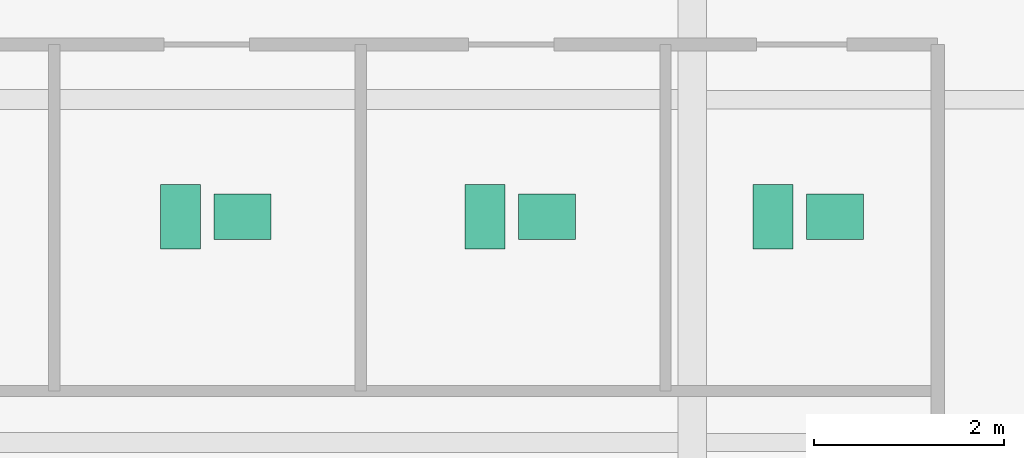
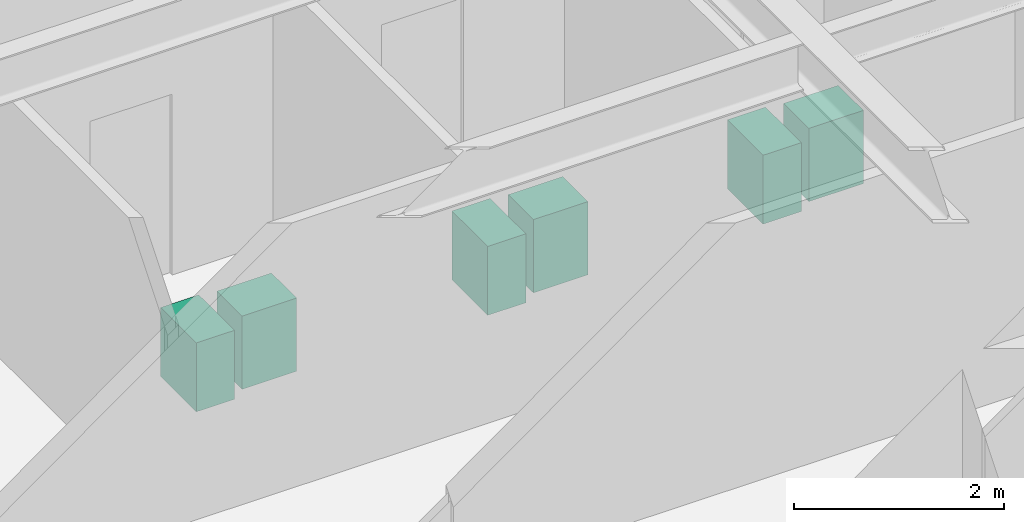
# One storey, part 30 of 30: 6 sanitary terminals.
"""IFC4 building model written with IfcOpenShell, lengths in metres."""

from ifc_helpers import new_model, si_unit, direction, frame, origin, origin_2d, place, context, subcontext, project, spatial, rectangle, extrude, source, transform, mapped, material, type_object, type_shapes, element, save


model = new_model("IFC4")

# Units and contexts
model_context = context("Model", 3, precision=1e-05, world=origin(), true_north=direction((0.0, 1.0)))
body_context = subcontext(model_context, "Body", "Model", "MODEL_VIEW")
ifc_project = project(units=[si_unit("LENGTHUNIT", "METRE"), si_unit("AREAUNIT", "SQUARE_METRE"), si_unit("VOLUMEUNIT", "CUBIC_METRE"), si_unit("PLANEANGLEUNIT", "RADIAN"), si_unit("MASSUNIT", "GRAM", prefix="KILO")], contexts=[model_context])

# Site, building, storey
site_placement = place(None, origin())
site = spatial("IfcSite", under=ifc_project, at=site_placement, CompositionType="ELEMENT")
building_placement = place(site_placement, origin())
building = spatial("IfcBuilding", under=site, at=building_placement, Name="Krantzveldt Concourse Tower", CompositionType="ELEMENT")
storey_placement = place(building_placement, frame((0.0, 0.0, 44.75)))
storey = spatial("IfcBuildingStorey", under=building, at=storey_placement, Name="L10", CompositionType="ELEMENT", Elevation=44.75)

# Sanitary terminals
ifc_material = material(Name="Vitreous china", Category="ceramic")
sanitary_terminal_type_1 = type_object("IfcSanitaryTerminalType", Name="SAN-WC-SUITE", PredefinedType="TOILETPAN", material=ifc_material)
shared_shape_1 = source(origin(), body_context, "Body", "SweptSolid", [
    extrude(rectangle(XDim=0.419921875, YDim=0.679931640625, at=origin_2d()), origin(), (0.0, 0.0, 1.0), 0.800048828125),
])
type_shapes(sanitary_terminal_type_1, [shared_shape_1])
for number, where, z_axis, x_axis, name in (
    (1, (36.02490234375, 32.570068359375, 0.0), (0.0, 0.0, 1.0), (1.0, 0.0, 0.0), "WC-SP-L10-WCM"),
    (2, (39.22509765625, 32.570068359375, 0.0), (0.0, 0.0, 1.0), (1.0, 0.0, 0.0), "WC-SP-L10-WCF"),
    (3, (42.25, 32.570068359375, 0.0), (0.0, 0.0, 1.0), (1.0, 0.0, 0.0), "WC-SP-L10-WCA"),
):
    element("IfcSanitaryTerminal", number, at=place(storey_placement, frame(where, z_axis=z_axis, x_axis=x_axis)), inside=storey, type_object=sanitary_terminal_type_1, Name=name, PredefinedType="TOILETPAN", context=body_context, shape_type="MappedRepresentation", body=[
        mapped(shared_shape_1, transform((0.0, 0.0, 0.0), x_axis=(1.0, 0.0, 0.0), y_axis=(0.0, 1.0, 0.0), z_axis=(0.0, 0.0, 1.0), scale=1.0)),
    ])
sanitary_terminal_type_2 = type_object("IfcSanitaryTerminalType", Name="SAN-BASIN-600", PredefinedType="WASHHANDBASIN", material=ifc_material)
shared_shape_2 = source(origin(), body_context, "Body", "SweptSolid", [
    extrude(rectangle(XDim=0.60009765625, YDim=0.47998046875, at=origin_2d()), origin(), (0.0, 0.0, 1.0), 0.85009765625),
])
type_shapes(sanitary_terminal_type_2, [shared_shape_2])
for number, where, z_axis, x_axis, name in (
    (4, (36.675048828125, 32.570068359375, 0.0048828125), (0.0, 0.0, 1.0), (1.0, 0.0, 0.0), "BSN-SP-L10-WCM"),
    (5, (39.875, 32.570068359375, 0.0048828125), (0.0, 0.0, 1.0), (1.0, 0.0, 0.0), "BSN-SP-L10-WCF"),
    (6, (42.89990234375, 32.570068359375, 0.0048828125), (0.0, 0.0, 1.0), (1.0, 0.0, 0.0), "BSN-SP-L10-WCA"),
):
    element("IfcSanitaryTerminal", number, at=place(storey_placement, frame(where, z_axis=z_axis, x_axis=x_axis)), inside=storey, type_object=sanitary_terminal_type_2, Name=name, PredefinedType="WASHHANDBASIN", context=body_context, shape_type="MappedRepresentation", body=[
        mapped(shared_shape_2, transform((0.0, 0.0, 0.0), x_axis=(1.0, 0.0, 0.0), y_axis=(0.0, 1.0, 0.0), z_axis=(0.0, 0.0, 1.0), scale=1.0)),
    ])

save(model, "model.ifc")
